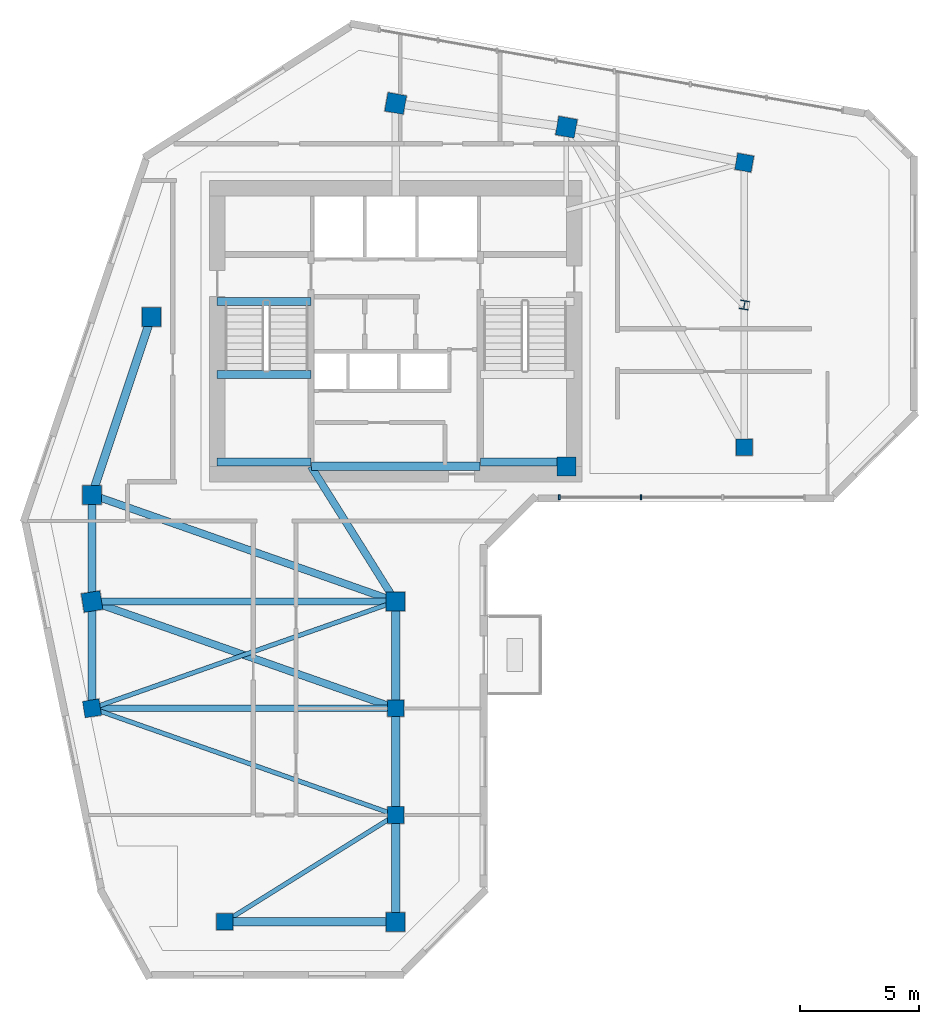
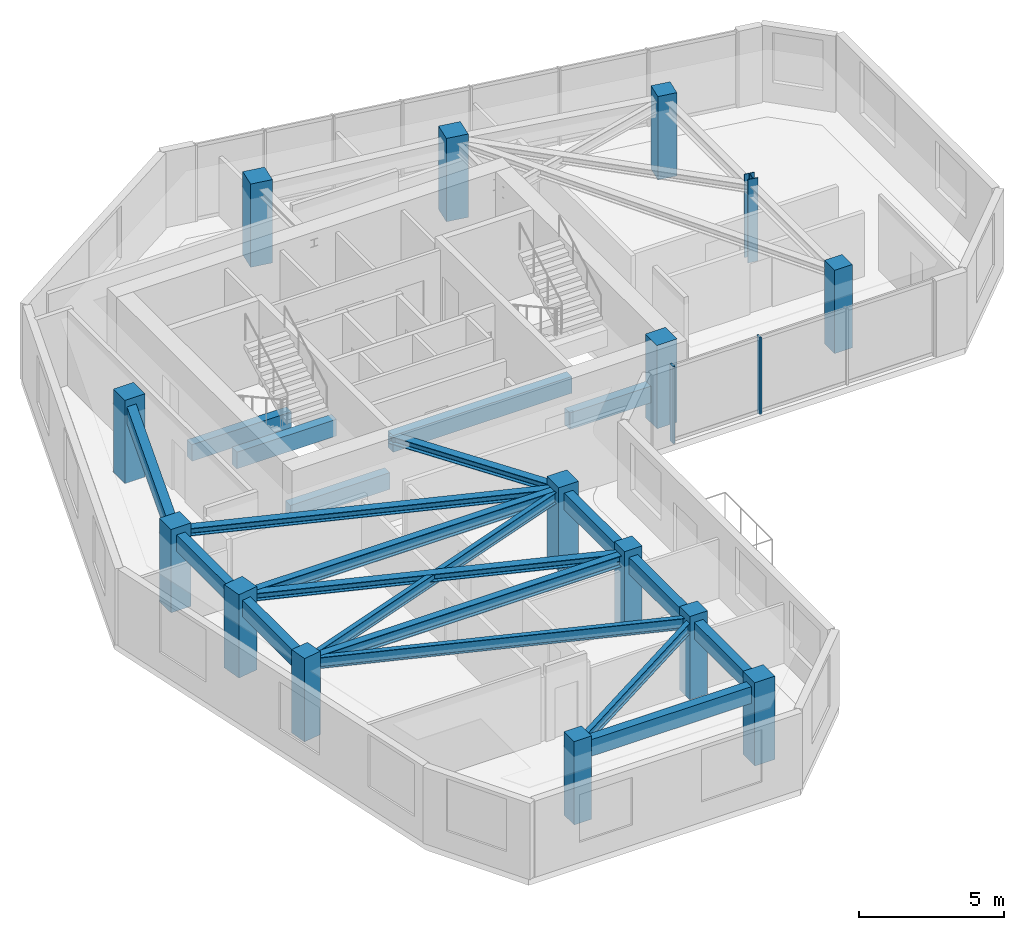
# One storey, part 1 of 9: 20 beams, 15 columns, 2 members, 1 element without a shape of its own.
"""IFC4 building model written with IfcOpenShell, lengths in metres."""

from ifc_helpers import new_model, si_unit, direction, frame, origin, origin_2d, place, context, subcontext, project, spatial, rectangle, i_section, extrude, source, transform, mapped, material, material_profile, profile_set, type_object, element, aggregate, save


model = new_model("IFC4")

# Units and contexts
model_context = context("Model", 3, precision=1e-05, world=origin(), true_north=direction((0.0, 1.0)))
body_context = subcontext(model_context, "Body", "Model", "MODEL_VIEW")
ifc_project = project(units=[si_unit("LENGTHUNIT", "METRE"), si_unit("AREAUNIT", "SQUARE_METRE"), si_unit("VOLUMEUNIT", "CUBIC_METRE"), si_unit("PLANEANGLEUNIT", "RADIAN"), si_unit("MASSUNIT", "GRAM", prefix="KILO")], contexts=[model_context])

# Site, building, storey
site_placement = place(None, origin())
site = spatial("IfcSite", under=ifc_project, at=site_placement, CompositionType="ELEMENT")
building_placement = place(site_placement, origin())
building = spatial("IfcBuilding", under=site, at=building_placement, Name="Calvemar Wedge Station Tower", CompositionType="ELEMENT")
storey_placement = place(building_placement, frame((0.0, 0.0, 239.39990234375)))
storey = spatial("IfcBuildingStorey", under=building, at=storey_placement, Name="L61", CompositionType="ELEMENT", Elevation=239.39990234375)

# Columns
ifc_material_1 = material(Name="Concrete C50", Category="concrete")
ifc_material_profile_1 = material_profile(ifc_material_1, rectangle(XDim=0.800048828125, YDim=0.800048828125, at=origin_2d()), Name="RC800x800")
ifc_profile_set_1 = profile_set([ifc_material_profile_1], Name="Concrete C50")
column_type_1 = type_object("IfcColumnType", Name="COL-C6-800", PredefinedType="COLUMN", material=ifc_profile_set_1)
shared_shape_1 = source(origin(), body_context, "Body", "SweptSolid", [
    extrude(rectangle(XDim=0.800048828125, YDim=0.800048828125, at=origin_2d()), origin(), (0.0, 0.0, 1.0), 3.5),
])
for number, where, z_axis, x_axis, name in (
    (1, (11.0, 33.0, 0.0), (0.0, 0.0, 1.0), (1.0, 0.0, 0.0), "Storey L61 Column T-NW1"),
    (2, (13.5, 40.5, 0.0), (0.0, 0.0, 1.0), (1.0, 0.0, 0.0), "Storey L61 Column T-NW2"),
    (3, (23.800048828125, 49.5, 0.0), (0.0, 0.0, 1.0), (0.984195607969, -0.17708474032, 0.0), "Storey L61 Column T-N1"),
    (4, (31.0, 48.5, 0.0), (0.0, 0.0, 1.0), (0.984195607969, -0.17708474032, 0.0), "Storey L61 Column T-N2"),
    (5, (31.0, 34.199951171875, 0.0), (0.0, 0.0, 1.0), (1.0, 0.0, 0.0), "Storey L61 Column T-NL1"),
    (6, (11.0, 28.5, 0.0), (0.0, 0.0, 1.0), (0.158158067254, -0.987413806751, 0.0), "Storey L61 Column T-SW1"),
    (7, (23.800048828125, 28.5, 0.0), (0.0, 0.0, 1.0), (1.0, 0.0, 0.0), "Storey L61 Column T-SE1"),
    (8, (23.800048828125, 15.0, 0.0), (0.0, 0.0, 1.0), (1.0, 0.0, 0.0), "Storey L61 Column T-SE4"),
):
    element("IfcColumn", number, at=place(storey_placement, frame(where, z_axis=z_axis, x_axis=x_axis)), inside=storey, type_object=column_type_1, Name=name, PredefinedType="COLUMN", context=body_context, shape_type="MappedRepresentation", body=[
        mapped(shared_shape_1, transform((0.0, 0.0, 0.0), scale=1.0)),
    ])
ifc_material_profile_2 = material_profile(ifc_material_1, rectangle(XDim=0.699951171875, YDim=0.699951171875, at=origin_2d()), Name="RC700x700")
ifc_profile_set_2 = profile_set([ifc_material_profile_2], Name="Concrete C50")
column_type_2 = type_object("IfcColumnType", Name="COL-C7-700", PredefinedType="COLUMN", material=ifc_profile_set_2)
shared_shape_2 = source(origin(), body_context, "Body", "SweptSolid", [
    extrude(rectangle(XDim=0.699951171875, YDim=0.699951171875, at=origin_2d()), origin(), (0.0, 0.0, 1.0), 3.5),
])
for number, where, z_axis, x_axis, name in (
    (9, (38.5, 47.0, 0.0), (0.0, 0.0, 1.0), (0.984195607969, -0.17708474032, 0.0), "Storey L61 Column T-NU3"),
    (10, (38.5, 35.0, 0.0), (0.0, 0.0, 1.0), (1.0, 0.0, 0.0), "Storey L61 Column T-NL2"),
    (11, (11.0, 24.0, 0.0), (0.0, 0.0, 1.0), (0.158158067254, -0.987413806751, 0.0), "Storey L61 Column T-SW2"),
    (12, (23.800048828125, 24.0, 0.0), (0.0, 0.0, 1.0), (1.0, 0.0, 0.0), "Storey L61 Column T-SE2"),
    (13, (23.800048828125, 19.5, 0.0), (0.0, 0.0, 1.0), (1.0, 0.0, 0.0), "Storey L61 Column T-SE3"),
    (14, (16.60009765625, 15.0, 0.0), (0.0, 0.0, 1.0), (1.0, 0.0, 0.0), "Storey L61 Column T-SM1"),
):
    element("IfcColumn", number, at=place(storey_placement, frame(where, z_axis=z_axis, x_axis=x_axis)), inside=storey, type_object=column_type_2, Name=name, PredefinedType="COLUMN", context=body_context, shape_type="MappedRepresentation", body=[
        mapped(shared_shape_2, transform((0.0, 0.0, 0.0), scale=1.0)),
    ])
ifc_material_2 = material(Name="Structural steel ASTM A572 Grade 50", Category="steel")
ifc_material_profile_3 = material_profile(ifc_material_2, i_section(OverallWidth=0.3740234375, OverallDepth=0.3720703125, WebThickness=0.016357421875, FlangeThickness=0.026123046875, FilletRadius=0.014892578125, at=origin_2d()), Name="W360x196")
ifc_profile_set_3 = profile_set([ifc_material_profile_3], Name="Structural steel ASTM A572 Grade 50")
column_type_3 = type_object("IfcColumnType", Name="COL-STL-W360", PredefinedType="COLUMN", material=ifc_profile_set_3)
shared_shape_3 = source(origin(), body_context, "Body", "SweptSolid", [
    extrude(i_section(OverallWidth=0.3740234375, OverallDepth=0.3720703125, WebThickness=0.016357421875, FlangeThickness=0.026123046875, FilletRadius=0.014892578125, at=origin_2d()), origin(), (0.0, 0.0, 1.0), 3.5),
])
column_placement = place(storey_placement, frame((38.5, 41.0, 0.0), z_axis=(0.0, 0.0, 1.0), x_axis=(0.984195607969, -0.17708474032, 0.0)))
element("IfcColumn", 15, at=column_placement, inside=storey, type_object=column_type_3, Name="Storey L61 Column T-NTIP-B", PredefinedType="COLUMN", context=body_context, shape_type="MappedRepresentation", body=[
    mapped(shared_shape_3, transform((0.0, 0.0, 0.0), scale=1.0)),
])

# Beams
ifc_material_3 = material(Name="Concrete C70", Category="concrete")
ifc_material_profile_4 = material_profile(ifc_material_3, rectangle(XDim=0.35009765625, YDim=0.699951171875, at=origin_2d()), Name="RC350x700")
ifc_profile_set_4 = profile_set([ifc_material_profile_4], Name="Concrete C70")
beam_type_1 = type_object("IfcBeamType", Name="BM-LN1-700", PredefinedType="LINTEL", material=ifc_profile_set_4)
shared_shape_4 = source(origin(), body_context, "Body", "SweptSolid", [
    extrude(rectangle(XDim=0.35009765625, YDim=0.699951171875, at=origin_2d()), origin(), (0.0, 0.0, 1.0), 7.10009765625),
])
beam_1_placement = place(storey_placement, frame((20.25, 34.199951171875, 2.85009765625), z_axis=(1.0, 0.0, 0.0), x_axis=(0.0, 1.0, 0.0)))
element("IfcBeam", 16, at=beam_1_placement, inside=storey, type_object=beam_type_1, Name="Storey L61 Core Coupling Lintel South", PredefinedType="LINTEL", context=body_context, shape_type="MappedRepresentation", body=[
    mapped(shared_shape_4, transform((0.0, 0.0, 0.0), scale=1.0)),
])
ifc_material_profile_5 = material_profile(ifc_material_2, i_section(OverallWidth=0.30908203125, OverallDepth=0.322998046875, WebThickness=0.013916015625, FlangeThickness=0.02294921875, FilletRadius=0.014892578125, at=origin_2d()), Name="W310x143")
ifc_profile_set_5 = profile_set([ifc_material_profile_5], Name="Structural steel ASTM A572 Grade 50")
beam_type_2 = type_object("IfcBeamType", Name="BM-J5-W310H", PredefinedType="JOIST", material=ifc_profile_set_5)
shared_shape_5 = source(origin(), body_context, "Body", "SweptSolid", [
    extrude(i_section(OverallWidth=0.30908203125, OverallDepth=0.322998046875, WebThickness=0.013916015625, FlangeThickness=0.02294921875, FilletRadius=0.014892578125, at=origin_2d()), origin(), (0.0, 0.0, 1.0), 13.568115234375),
])
for number, where, z_axis, x_axis, name in (
    (17, (11.0, 33.0, 3.03857421875), (0.943398221169, -0.331662171939, 0.0), (0.331662171939, 0.943398221169, 0.0), "Storey L61 Floor Beam T-NW1-T-SE1"),
    (18, (11.0, 28.5, 3.03857421875), (0.943398221169, -0.331662171939, 0.0), (0.331662171939, 0.943398221169, 0.0), "Storey L61 Floor Beam T-SW1-T-SE2"),
):
    element("IfcBeam", number, at=place(storey_placement, frame(where, z_axis=z_axis, x_axis=x_axis)), inside=storey, type_object=beam_type_2, Name=name, PredefinedType="JOIST", context=body_context, shape_type="MappedRepresentation", body=[
        mapped(shared_shape_5, transform((0.0, 0.0, 0.0), scale=1.0)),
    ])
ifc_material_profile_6 = material_profile(ifc_material_2, i_section(OverallWidth=0.19189453125, OverallDepth=0.462890625, WebThickness=0.010498046875, FlangeThickness=0.017578125, FilletRadius=0.012939453125, at=origin_2d()), Name="W460x89")
ifc_profile_set_6 = profile_set([ifc_material_profile_6], Name="Structural steel ASTM A572 Grade 50")
beam_type_3 = type_object("IfcBeamType", Name="BM-J1-W460", PredefinedType="JOIST", material=ifc_profile_set_6)
shared_shape_6 = source(origin(), body_context, "Body", "SweptSolid", [
    extrude(i_section(OverallWidth=0.19189453125, OverallDepth=0.462890625, WebThickness=0.010498046875, FlangeThickness=0.017578125, FilletRadius=0.012939453125, at=origin_2d()), origin(), (0.0, 0.0, 1.0), 13.568115234375),
])
for number, where, z_axis, x_axis, name in (
    (19, (23.800048828125, 28.5, 2.968505859375), (-0.943398221169, -0.331662171939, 0.0), (0.331662171939, -0.943398221169, 0.0), "Storey L61 Floor Beam T-SE1-T-SW2"),
    (20, (11.0, 24.0, 2.968505859375), (0.943398221169, -0.331662171939, 0.0), (0.331662171939, 0.943398221169, 0.0), "Storey L61 Floor Beam T-SW2-T-SE3"),
):
    element("IfcBeam", number, at=place(storey_placement, frame(where, z_axis=z_axis, x_axis=x_axis)), inside=storey, type_object=beam_type_3, Name=name, PredefinedType="JOIST", context=body_context, shape_type="MappedRepresentation", body=[
        mapped(shared_shape_6, transform((0.0, 0.0, 0.0), scale=1.0)),
    ])
shared_shape_7 = source(origin(), body_context, "Body", "SweptSolid", [
    extrude(i_section(OverallWidth=0.19189453125, OverallDepth=0.462890625, WebThickness=0.010498046875, FlangeThickness=0.017578125, FilletRadius=0.012939453125, at=origin_2d()), origin(), (0.0, 0.0, 1.0), 8.490478515625),
])
beam_2_placement = place(storey_placement, frame((23.800048828125, 19.5, 2.968505859375), z_axis=(-0.847996688584, -0.530001524668, 0.0), x_axis=(0.530001524668, -0.847996688584, 0.0)))
element("IfcBeam", 21, at=beam_2_placement, inside=storey, type_object=beam_type_3, Name="Storey L61 Floor Beam T-SE3-T-SM1", PredefinedType="JOIST", context=body_context, shape_type="MappedRepresentation", body=[
    mapped(shared_shape_7, transform((0.0, 0.0, 0.0), scale=1.0)),
])
shared_shape_8 = source(origin(), body_context, "Body", "SweptSolid", [
    extrude(i_section(OverallWidth=0.30908203125, OverallDepth=0.322998046875, WebThickness=0.013916015625, FlangeThickness=0.02294921875, FilletRadius=0.014892578125, at=origin_2d()), origin(), (0.0, 0.0, 1.0), 6.7255859375),
])
beam_3_placement = place(storey_placement, frame((20.22998046875, 34.199951171875, 3.03857421875), z_axis=(0.530811158438, -0.847490126242, 0.0), x_axis=(0.847490126242, 0.530811158438, 0.0)))
element("IfcBeam", 22, at=beam_3_placement, inside=storey, type_object=beam_type_2, Name="Storey L61 Core-to-Column Joist CJ-S2", PredefinedType="JOIST", context=body_context, shape_type="MappedRepresentation", body=[
    mapped(shared_shape_8, transform((0.0, 0.0, 0.0), scale=1.0)),
])
shared_shape_9 = source(origin(), body_context, "Body", "SweptSolid", [
    extrude(rectangle(XDim=0.35009765625, YDim=0.699951171875, at=origin_2d()), origin(), (0.0, 0.0, 1.0), 3.955078125),
])
for number, where, z_axis, x_axis, name in (
    (23, (16.27490234375, 41.14990234375, -0.349853515625), (1.0, 0.0, 0.0), (0.0, 1.0, 0.0), "Storey L61 Stair ST-C1 Landing Trimmer Beam"),
    (24, (16.27490234375, 34.3798828125, 1.2001953125), (1.0, 0.0, 0.0), (0.0, 1.0, 0.0), "Storey L61 Stair ST-C1 Half-Landing Beam 1A"),
    (25, (16.27490234375, 38.070068359375, 1.2001953125), (1.0, 0.0, 0.0), (0.0, 1.0, 0.0), "Storey L61 Stair ST-C1 Half-Landing Beam 1B"),
):
    element("IfcBeam", number, at=place(storey_placement, frame(where, z_axis=z_axis, x_axis=x_axis)), inside=storey, type_object=beam_type_1, Name=name, PredefinedType="LINTEL", context=body_context, shape_type="MappedRepresentation", body=[
        mapped(shared_shape_9, transform((0.0, 0.0, 0.0), scale=1.0)),
    ])
shared_shape_10 = source(origin(), body_context, "Body", "SweptSolid", [
    extrude(rectangle(XDim=0.35009765625, YDim=0.699951171875, at=origin_2d()), origin(), (0.0, 0.0, 1.0), 3.954833984375),
])
beam_4_placement = place(storey_placement, frame((27.3701171875, 34.3798828125, 1.2001953125), z_axis=(1.0, 0.0, 0.0), x_axis=(0.0, 1.0, 0.0)))
element("IfcBeam", 26, at=beam_4_placement, inside=storey, type_object=beam_type_1, Name="Storey L61 Stair ST-C2 Half-Landing Beam 1A", PredefinedType="LINTEL", context=body_context, shape_type="MappedRepresentation", body=[
    mapped(shared_shape_10, transform((0.0, 0.0, 0.0), scale=1.0)),
])
ifc_material_profile_7 = material_profile(ifc_material_1, rectangle(XDim=0.35009765625, YDim=0.699951171875, at=origin_2d()), Name="RC350x700")
ifc_profile_set_7 = profile_set([ifc_material_profile_7], Name="Concrete C50")
beam_type_4 = type_object("IfcBeamType", Name="BM-SP2-700", PredefinedType="SPANDREL", material=ifc_profile_set_7)
shared_shape_11 = source(origin(), body_context, "Body", "SweptSolid", [
    extrude(rectangle(XDim=0.35009765625, YDim=0.699951171875, at=origin_2d()), origin(), (0.0, 0.0, 1.0), 7.90576171875),
])
beam_5_placement = place(storey_placement, frame((11.0, 33.0, 2.85009765625), z_axis=(0.316227766017, 0.948683298051, 0.0), x_axis=(-0.948683298051, 0.316227766017, 0.0)))
element("IfcBeam", 27, at=beam_5_placement, inside=storey, type_object=beam_type_4, Name="Storey L61 Spandrel T-NW1-T-NW2", PredefinedType="SPANDREL", context=body_context, shape_type="MappedRepresentation", body=[
    mapped(shared_shape_11, transform((0.0, 0.0, 0.0), scale=1.0)),
])
shared_shape_12 = source(origin(), body_context, "Body", "SweptSolid", [
    extrude(rectangle(XDim=0.35009765625, YDim=0.699951171875, at=origin_2d()), origin(), (0.0, 0.0, 1.0), 4.5),
])
for number, where, z_axis, x_axis, name in (
    (28, (11.0, 33.0, 2.85009765625), (0.0, -1.0, 0.0), (1.0, 0.0, 0.0), "Storey L61 Spandrel T-NW1-T-SW1"),
    (29, (11.0, 28.5, 2.85009765625), (0.0, -1.0, 0.0), (1.0, 0.0, 0.0), "Storey L61 Spandrel T-SW1-T-SW2"),
    (30, (23.800048828125, 28.5, 2.85009765625), (0.0, -1.0, 0.0), (1.0, 0.0, 0.0), "Storey L61 Spandrel T-SE1-T-SE2"),
    (31, (23.800048828125, 24.0, 2.85009765625), (0.0, -1.0, 0.0), (1.0, 0.0, 0.0), "Storey L61 Spandrel T-SE2-T-SE3"),
    (32, (23.800048828125, 19.5, 2.85009765625), (0.0, -1.0, 0.0), (1.0, 0.0, 0.0), "Storey L61 Spandrel T-SE3-T-SE4"),
):
    element("IfcBeam", number, at=place(storey_placement, frame(where, z_axis=z_axis, x_axis=x_axis)), inside=storey, type_object=beam_type_4, Name=name, PredefinedType="SPANDREL", context=body_context, shape_type="MappedRepresentation", body=[
        mapped(shared_shape_12, transform((0.0, 0.0, 0.0), scale=1.0)),
    ])
shared_shape_13 = source(origin(), body_context, "Body", "SweptSolid", [
    extrude(rectangle(XDim=0.35009765625, YDim=0.699951171875, at=origin_2d()), origin(), (0.0, 0.0, 1.0), 7.199951171875),
])
beam_6_placement = place(storey_placement, frame((16.60009765625, 15.0, 2.85009765625), z_axis=(1.0, 0.0, 0.0), x_axis=(0.0, 1.0, 0.0)))
element("IfcBeam", 33, at=beam_6_placement, inside=storey, type_object=beam_type_4, Name="Storey L61 Spandrel T-SM1-T-SE4", PredefinedType="SPANDREL", context=body_context, shape_type="MappedRepresentation", body=[
    mapped(shared_shape_13, transform((0.0, 0.0, 0.0), scale=1.0)),
])
ifc_material_profile_8 = material_profile(ifc_material_2, i_section(OverallWidth=0.283935546875, OverallDepth=0.47607421875, WebThickness=0.014892578125, FlangeThickness=0.02392578125, FilletRadius=0.014892578125, at=origin_2d()), Name="W460x158")
ifc_profile_set_8 = profile_set([ifc_material_profile_8], Name="Structural steel ASTM A572 Grade 50")
beam_type_5 = type_object("IfcBeamType", Name="BM-SB5-W460H", PredefinedType="BEAM", material=ifc_profile_set_8)
shared_shape_14 = source(origin(), body_context, "Body", "SweptSolid", [
    extrude(i_section(OverallWidth=0.283935546875, OverallDepth=0.47607421875, WebThickness=0.014892578125, FlangeThickness=0.02392578125, FilletRadius=0.014892578125, at=origin_2d()), origin(), (0.0, 0.0, 1.0), 12.800048828125),
])
for number, where, z_axis, x_axis, name in (
    (34, (11.0, 28.5, 2.962158203125), (1.0, 0.0, 0.0), (0.0, 1.0, 0.0), "Storey L61 Floor Beam T-SW1-T-SE1"),
    (35, (11.0, 24.0, 2.962158203125), (1.0, 0.0, 0.0), (0.0, 1.0, 0.0), "Storey L61 Floor Beam T-SW2-T-SE2"),
):
    element("IfcBeam", number, at=place(storey_placement, frame(where, z_axis=z_axis, x_axis=x_axis)), inside=storey, type_object=beam_type_5, Name=name, PredefinedType="BEAM", context=body_context, shape_type="MappedRepresentation", body=[
        mapped(shared_shape_14, transform((0.0, 0.0, 0.0), scale=1.0)),
    ])

# Curtain wall, members
ifc_material_4 = material(Name="Anodised aluminium 6063-T6", Category="aluminium")
curtain_wall_type = type_object("IfcCurtainWallType", Name="CW3", PredefinedType="NOTDEFINED", material=ifc_material_4)
curtain_wall_placement = place(storey_placement, origin())
curtain_wall = element("IfcCurtainWall", 36, at=curtain_wall_placement, inside=storey, type_object=curtain_wall_type, Name="Storey L61 CW3 Recessed Unitised Curtain Wall 6", PredefinedType="NOTDEFINED")
ifc_material_profile_9 = material_profile(ifc_material_4, rectangle(XDim=0.074951171875, YDim=0.2099609375, at=origin_2d()), Name="AL-MUL-75x210")
ifc_profile_set_9 = profile_set([ifc_material_profile_9], Name="Anodised aluminium 6063-T6")
member_type = type_object("IfcMemberType", Name="CW3-MUL", PredefinedType="MULLION", material=ifc_profile_set_9)
shared_shape_15 = source(origin(), body_context, "Body", "SweptSolid", [
    extrude(rectangle(XDim=0.074951171875, YDim=0.2099609375, at=origin_2d()), origin(), (0.0, 0.0, 1.0), 3.25),
])
member_1_placement = place(storey_placement, frame((30.701904296875, 32.902099609375, -0.0498046875), z_axis=(0.0, 0.0, 1.0), x_axis=(1.0, 0.0, 0.0)))
member_1 = element("IfcMember", 37, at=member_1_placement, type_object=member_type, Name="CW3 mullion 1", PredefinedType="MULLION", context=body_context, shape_type="MappedRepresentation", body=[
    mapped(shared_shape_15, transform((0.0, 0.0, 0.0), scale=1.0)),
])
member_2_placement = place(storey_placement, frame((34.147216796875, 32.902099609375, -0.0498046875), z_axis=(0.0, 0.0, 1.0), x_axis=(1.0, 0.0, 0.0)))
member_2 = element("IfcMember", 38, at=member_2_placement, type_object=member_type, Name="CW3 mullion 2", PredefinedType="MULLION", context=body_context, shape_type="MappedRepresentation", body=[
    mapped(shared_shape_15, transform((0.0, 0.0, 0.0), scale=1.0)),
])
aggregate(curtain_wall, [member_1, member_2])

save(model, "model.ifc")
